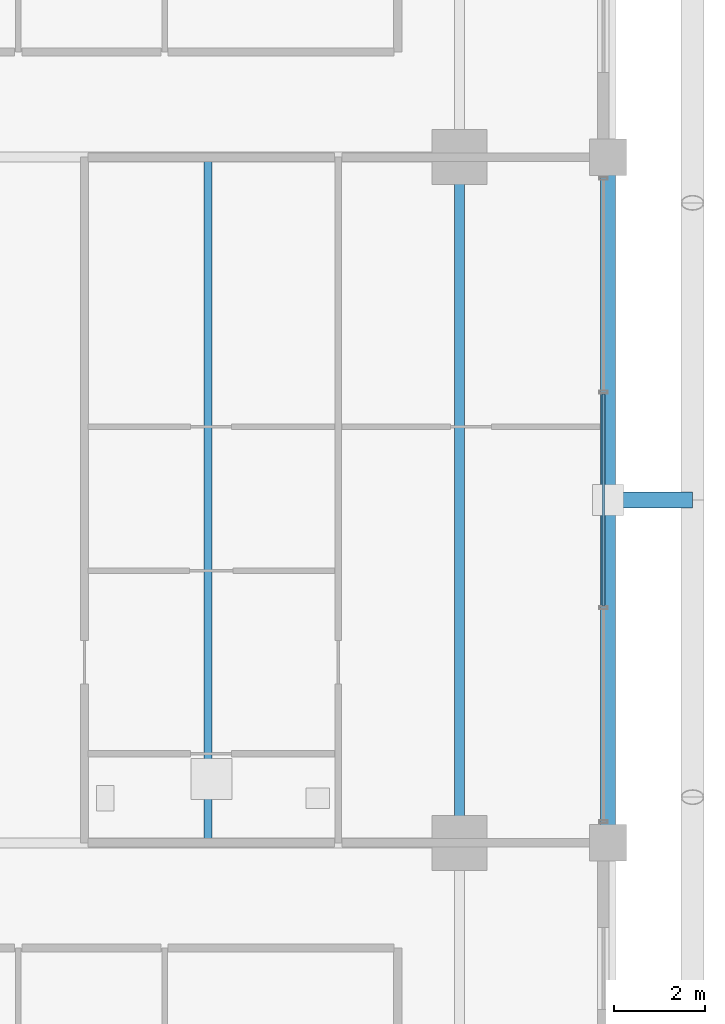
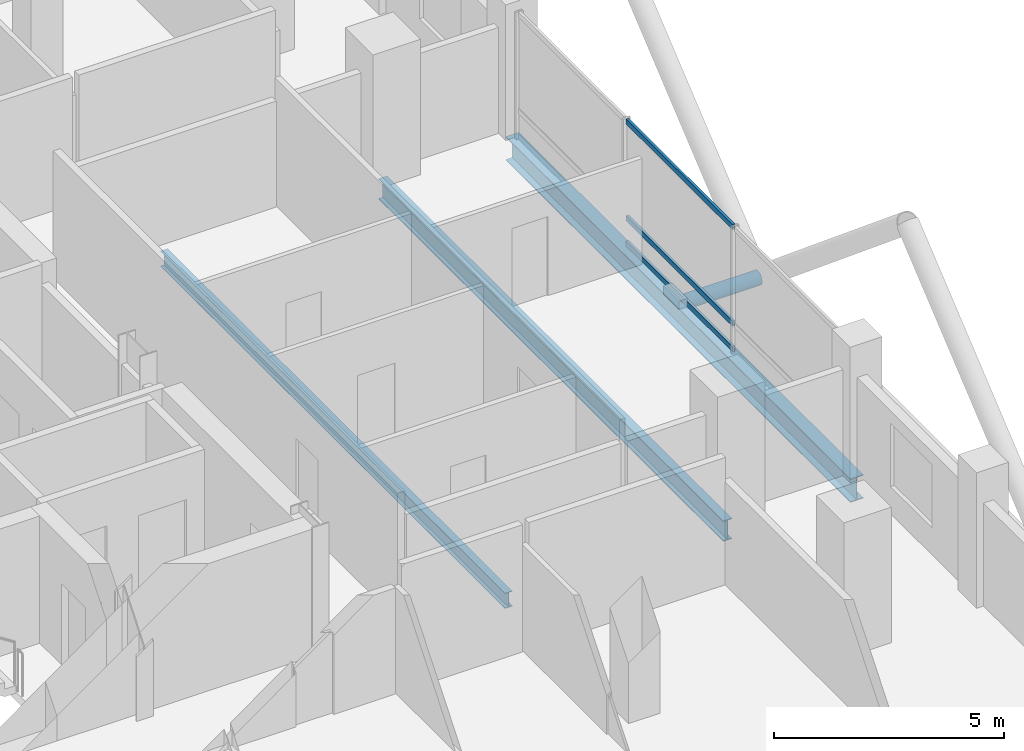
# One storey, part 10 of 24: 4 members, 3 beams, 1 element without a shape of its own.
"""IFC4 building model written with IfcOpenShell, lengths in metres."""

from ifc_helpers import new_model, si_unit, direction, frame, origin, origin_2d, place, context, subcontext, project, spatial, hollow_rectangle, hollow_circle, i_section, extrude, material, layer, layer_set, material_profile, profile_set, type_object, element, aggregate, save


model = new_model("IFC4")

# Units and contexts
model_context = context("Model", 3, precision=1e-05, world=origin(), true_north=direction((0.0, 1.0)))
body_context = subcontext(model_context, "Body", "Model", "MODEL_VIEW")
ifc_project = project(units=[si_unit("LENGTHUNIT", "METRE"), si_unit("AREAUNIT", "SQUARE_METRE"), si_unit("VOLUMEUNIT", "CUBIC_METRE"), si_unit("PLANEANGLEUNIT", "RADIAN"), si_unit("MASSUNIT", "GRAM", prefix="KILO")], contexts=[model_context])

# Site, building, storey
site_placement = place(None, origin())
site = spatial("IfcSite", under=ifc_project, at=site_placement, CompositionType="ELEMENT")
building_placement = place(site_placement, origin())
building = spatial("IfcBuilding", under=site, at=building_placement, Name="Barlavira Tower and Art Museum", CompositionType="ELEMENT")
storey_placement = place(building_placement, frame((0.0, 0.0, 154.800048828125)))
storey = spatial("IfcBuildingStorey", under=building, at=storey_placement, Name="L39", CompositionType="ELEMENT", Elevation=154.800048828125)

# Curtain wall, members
ifc_material_1 = material(Name="Low-iron coastal laminated glass", Category="glass")
ifc_layer = layer(ifc_material_1, 0.18994140625, Name="Low-iron coastal laminated glass")
ifc_layer_set = layer_set([ifc_layer], Name="Low-iron coastal laminated glass")
curtain_wall_type = type_object("IfcCurtainWallType", Name="Pale-Metal Unitised Curtain Wall Zone 2", PredefinedType="NOTDEFINED", material=ifc_layer_set)
curtain_wall_placement = place(storey_placement, origin())
curtain_wall = element("IfcCurtainWall", 1, at=curtain_wall_placement, inside=storey, type_object=curtain_wall_type, Name="L39 Curtain Wall CW2-L39-E-B3", PredefinedType="NOTDEFINED")
ifc_material_2 = material(Name="Pale anodised aluminium", Category="aluminium")
ifc_material_profile_1 = material_profile(ifc_material_2, hollow_rectangle(XDim=0.06494140625, YDim=0.139892578125, WallThickness=0.00390625, at=origin_2d()), Name="ALU-TRAN 65x140x4")
ifc_profile_set_1 = profile_set([ifc_material_profile_1], Name="Pale anodised aluminium")
member_type_1 = type_object("IfcMemberType", Name="Curtain Wall Pale-Metal Transom 65x140", PredefinedType="USERDEFINED", material=ifc_profile_set_1)
member_1_placement = place(storey_placement, frame((20.14990234375, -2.31494140625, 0.070068359375), z_axis=(0.0, 1.0, 0.0), x_axis=(-1.0, 0.0, 0.0)))
member_1 = element("IfcMember", 2, at=member_1_placement, type_object=member_type_1, Name="CW2-L39-E-B3 Transom 1.1", ObjectType="TRANSOM", PredefinedType="USERDEFINED", context=body_context, shape_type="SweptSolid", body=[
    extrude(hollow_rectangle(XDim=0.06494140625, YDim=0.139892578125, WallThickness=0.00390625, at=origin_2d()), origin(), (0.0, 0.0, 1.0), 4.6298828125),
])
member_2_placement = place(storey_placement, frame((20.14990234375, -2.31494140625, 0.743896484375), z_axis=(0.0, 1.0, 0.0), x_axis=(-1.0, 0.0, 0.0)))
member_2 = element("IfcMember", 3, at=member_2_placement, type_object=member_type_1, Name="CW2-L39-E-B3 Transom 1.2", ObjectType="TRANSOM", PredefinedType="USERDEFINED", context=body_context, shape_type="SweptSolid", body=[
    extrude(hollow_rectangle(XDim=0.06494140625, YDim=0.139892578125, WallThickness=0.00390625, at=origin_2d()), origin(), (0.0, 0.0, 1.0), 4.6298828125),
])
member_3_placement = place(storey_placement, frame((20.14990234375, -2.31494140625, 3.31005859375), z_axis=(0.0, 1.0, 0.0), x_axis=(-1.0, 0.0, 0.0)))
member_3 = element("IfcMember", 4, at=member_3_placement, type_object=member_type_1, Name="CW2-L39-E-B3 Transom 1.3", ObjectType="TRANSOM", PredefinedType="USERDEFINED", context=body_context, shape_type="SweptSolid", body=[
    extrude(hollow_rectangle(XDim=0.06494140625, YDim=0.139892578125, WallThickness=0.00390625, at=origin_2d()), origin(), (0.0, 0.0, 1.0), 4.6298828125),
])
aggregate(curtain_wall, [member_1, member_2, member_3])

# Member
ifc_material_3 = material(Name="Steel S355", Category="steel")
ifc_material_profile_2 = material_profile(ifc_material_3, hollow_circle(Radius=0.177734375, WallThickness=0.01611328125, at=origin_2d()), Name="CHS 355.6x16.0")
ifc_profile_set_2 = profile_set([ifc_material_profile_2], Name="Steel S355")
member_type_2 = type_object("IfcMemberType", Name="Pale-Metal Exoskeleton Tie Strut CHS 356x16 Steel S355", PredefinedType="STRUT", material=ifc_profile_set_2)
member_4_placement = place(storey_placement, frame((22.10009765625, 0.0, -0.1201171875), z_axis=(-1.0, 0.0, 0.0), x_axis=(0.0, -1.0, 0.0)))
element("IfcMember", 5, at=member_4_placement, inside=storey, type_object=member_type_2, Name="L39 Exoskeleton Tie Strut E2", PredefinedType="STRUT", context=body_context, shape_type="SweptSolid", body=[
    extrude(hollow_circle(Radius=0.177734375, WallThickness=0.01611328125, at=origin_2d()), origin(), (0.0, 0.0, 1.0), 1.85009765625),
])

# Beams
ifc_material_profile_3 = material_profile(ifc_material_3, i_section(OverallWidth=0.327880859375, OverallDepth=0.62890625, WebThickness=0.013916015625, FlangeThickness=0.021484375, at=origin_2d()), Name="W610x174.0")
ifc_profile_set_3 = profile_set([ifc_material_profile_3], Name="Steel S355")
beam_type_1 = type_object("IfcBeamType", Name="Perimeter Spandrel Edge Beam W610x174 Steel S355", PredefinedType="SPANDREL", material=ifc_profile_set_3)
beam_1_placement = place(storey_placement, frame((20.25, -7.5, -0.53466796875), z_axis=(0.0, 1.0, 0.0), x_axis=(-1.0, 0.0, 0.0)))
element("IfcBeam", 6, at=beam_1_placement, inside=storey, type_object=beam_type_1, Name="L39 Spandrel 6", PredefinedType="SPANDREL", context=body_context, shape_type="SweptSolid", body=[
    extrude(i_section(OverallWidth=0.327880859375, OverallDepth=0.62890625, WebThickness=0.013916015625, FlangeThickness=0.021484375, at=origin_2d()), origin(), (0.0, 0.0, 1.0), 15.0),
])
ifc_material_profile_4 = material_profile(ifc_material_3, i_section(OverallWidth=0.214111328125, OverallDepth=0.549072265625, WebThickness=0.0146484375, FlangeThickness=0.023681640625, at=origin_2d()), Name="W530x138.0")
ifc_profile_set_4 = profile_set([ifc_material_profile_4], Name="Steel S355")
beam_type_2 = type_object("IfcBeamType", Name="Zone 1 Primary Floor Girder W530x138 Steel S355", PredefinedType="BEAM", material=ifc_profile_set_4)
beam_2_placement = place(storey_placement, frame((17.0, -7.5, -0.49462890625), z_axis=(0.0, 1.0, 0.0), x_axis=(-1.0, 0.0, 0.0)))
element("IfcBeam", 7, at=beam_2_placement, inside=storey, type_object=beam_type_2, Name="L39 Girder M-E2", PredefinedType="BEAM", context=body_context, shape_type="SweptSolid", body=[
    extrude(i_section(OverallWidth=0.214111328125, OverallDepth=0.549072265625, WebThickness=0.0146484375, FlangeThickness=0.023681640625, at=origin_2d()), origin(), (0.0, 0.0, 1.0), 15.0),
])
ifc_material_profile_5 = material_profile(ifc_material_3, i_section(OverallWidth=0.179931640625, OverallDepth=0.4130859375, WebThickness=0.009765625, FlangeThickness=0.01611328125, at=origin_2d()), Name="W410x75.0")
ifc_profile_set_5 = profile_set([ifc_material_profile_5], Name="Steel S355")
beam_type_3 = type_object("IfcBeamType", Name="Zone 2 Composite Floor Joist W410x75 Steel S355", PredefinedType="JOIST", material=ifc_profile_set_5)
beam_3_placement = place(storey_placement, frame((11.5, -7.5, -0.426513671875), z_axis=(0.0, 1.0, 0.0), x_axis=(-1.0, 0.0, 0.0)))
element("IfcBeam", 8, at=beam_3_placement, inside=storey, type_object=beam_type_3, Name="L39 Joist W2", PredefinedType="JOIST", context=body_context, shape_type="SweptSolid", body=[
    extrude(i_section(OverallWidth=0.179931640625, OverallDepth=0.4130859375, WebThickness=0.009765625, FlangeThickness=0.01611328125, at=origin_2d()), origin(), (0.0, 0.0, 1.0), 15.0),
])

save(model, "model.ifc")
